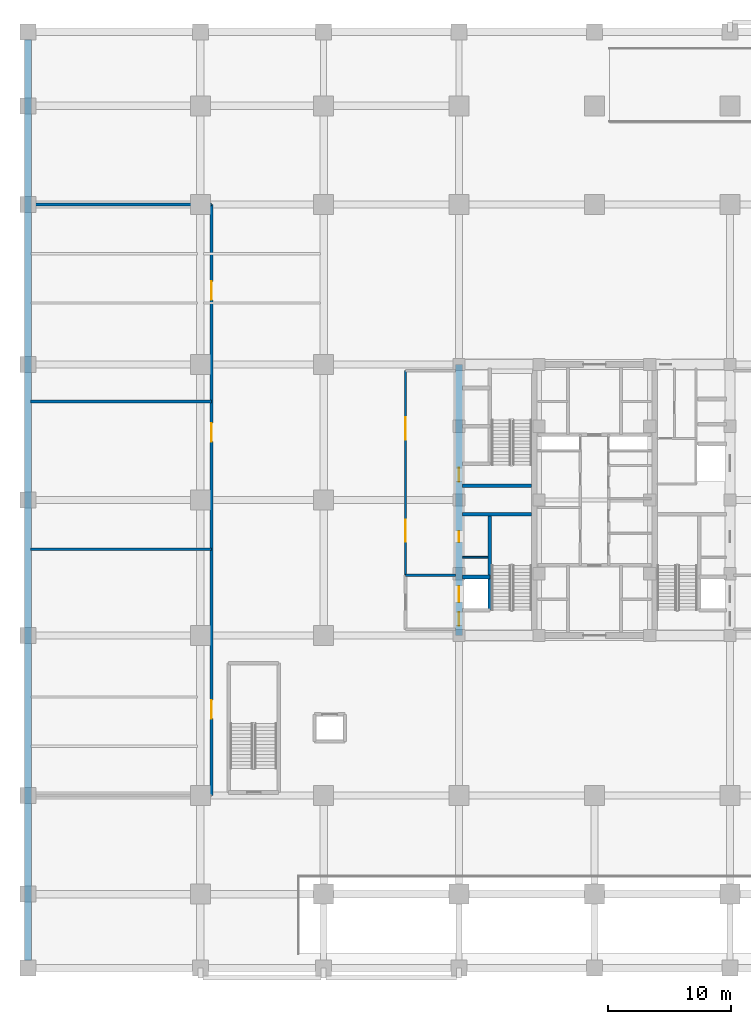
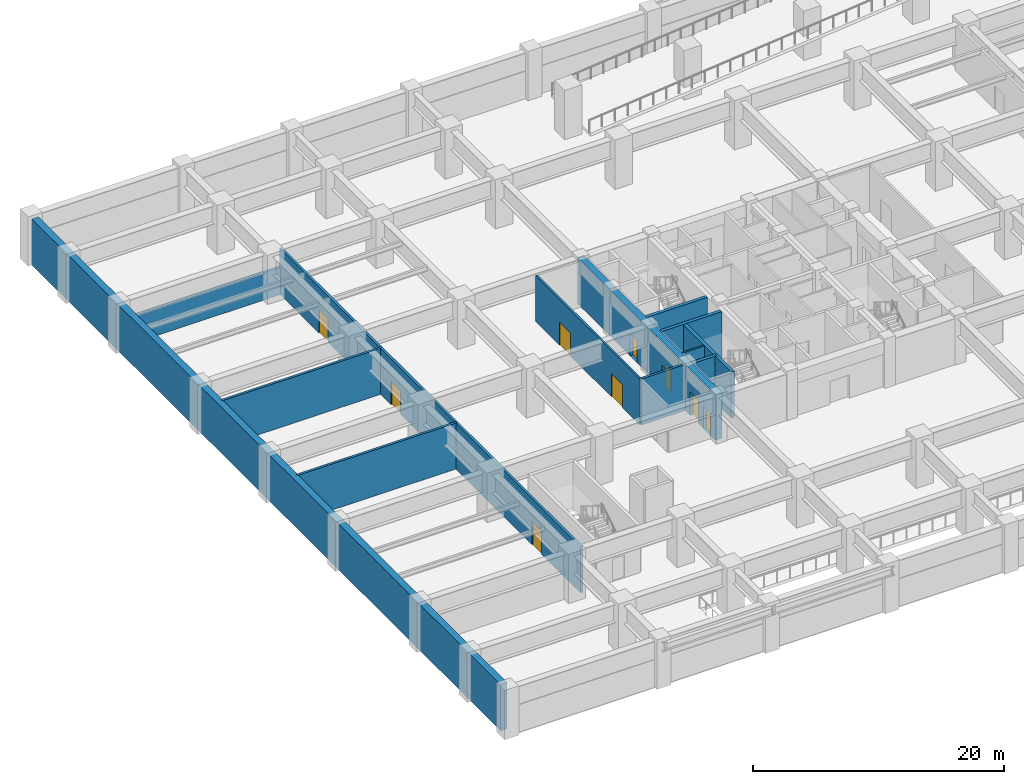
# One storey, part 5 of 13: 13 walls, 9 doors, 9 openings.
"""IFC4 building model written with IfcOpenShell, lengths in metres."""

from ifc_helpers import new_model, si_unit, direction, frame, frame_2d, origin, place, context, subcontext, project, spatial, rectangle, extrude, source, transform, mapped, material, layer, layer_set, type_object, element, fill, save


model = new_model("IFC4")

# Units and contexts
model_context = context("Model", 3, precision=1e-05, world=origin(), true_north=direction((0.0, 1.0)))
body_context = subcontext(model_context, "Body", "Model", "MODEL_VIEW")
ifc_project = project(units=[si_unit("LENGTHUNIT", "METRE"), si_unit("AREAUNIT", "SQUARE_METRE"), si_unit("VOLUMEUNIT", "CUBIC_METRE"), si_unit("PLANEANGLEUNIT", "RADIAN"), si_unit("MASSUNIT", "GRAM", prefix="KILO")], contexts=[model_context])

# Site, building, storey
site_placement = place(None, origin())
site = spatial("IfcSite", under=ifc_project, at=site_placement, CompositionType="ELEMENT")
building_placement = place(site_placement, origin())
building = spatial("IfcBuilding", under=site, at=building_placement, Name="Khorayat Bourse Tower", CompositionType="ELEMENT")
storey_placement = place(building_placement, frame((0.0, 0.0, -4.800048828125)))
storey = spatial("IfcBuildingStorey", under=building, at=storey_placement, Name="B01", CompositionType="ELEMENT", Elevation=-4.800048828125)

# Wall, openings, doors
ifc_material_1 = material(Name="Concrete C60/75", Category="concrete")
ifc_layer_1 = layer(ifc_material_1, 0.60009765625)
ifc_layer_set_1 = layer_set([ifc_layer_1], Name="Concrete C60/75")
wall_type_1 = type_object("IfcWallType", Name="WAL-CORE-600", PredefinedType="SHEAR", material=ifc_layer_set_1)
shared_shape_1 = source(origin(), body_context, "Body", "SweptSolid", [
    extrude(rectangle(XDim=22.0, YDim=0.60009765625, at=frame_2d((11.0, 0.0))), origin(), (0.0, 0.0, 1.0), 4.47998046875),
])
wall_1_placement = place(storey_placement, frame((-11.0, -11.0, 0.0), z_axis=(0.0, 0.0, 1.0), x_axis=(0.0, 1.0, 0.0)))
wall_1 = element("IfcWall", 1, at=wall_1_placement, inside=storey, type_object=wall_type_1, Name="B01 Core Shear Wall CORE-W", PredefinedType="SHEAR", context=body_context, shape_type="MappedRepresentation", body=[
    mapped(shared_shape_1, transform((0.0, 0.0, 0.0), scale=1.0)),
])
shared_shape_2 = source(origin(), body_context, "Body", "SweptSolid", [
    extrude(rectangle(XDim=1.10009765625, YDim=2.199951171875, at=frame_2d((0.550048828125, 1.10009765625))), frame((0.0, 0.31005859375, 0.0), z_axis=(0.0, -1.0, 0.0), x_axis=(1.0, 0.0, 0.0)), (0.0, 0.0, 1.0), 0.6201171875),
])
opening_1_placement = place(wall_1_placement, frame((0.800048828125, 0.0, 0.0)))
opening_1 = element("IfcOpeningElement", 2, at=opening_1_placement, cuts=wall_1, Name="Opening DI-01", PredefinedType="OPENING", context=body_context, shape_type="MappedRepresentation", body=[
    mapped(shared_shape_2, transform((0.0, 0.0, 0.0), scale=1.0)),
])
opening_2_placement = place(wall_1_placement, frame((12.5, 0.0, 0.0)))
opening_2 = element("IfcOpeningElement", 3, at=opening_2_placement, cuts=wall_1, Name="Opening DI-01", PredefinedType="OPENING", context=body_context, shape_type="MappedRepresentation", body=[
    mapped(shared_shape_2, transform((0.0, 0.0, 0.0), scale=1.0)),
])
shared_shape_3 = source(origin(), body_context, "Body", "SweptSolid", [
    extrude(rectangle(XDim=0.89990234375, YDim=2.14990234375, at=frame_2d((0.449951171875, 1.074951171875))), frame((0.0, 0.31005859375, 0.0), z_axis=(0.0, -1.0, 0.0), x_axis=(1.0, 0.0, 0.0)), (0.0, 0.0, 1.0), 0.6201171875),
])
opening_3_placement = place(wall_1_placement, frame((7.574951171875, 0.0, 0.0)))
opening_3 = element("IfcOpeningElement", 4, at=opening_3_placement, cuts=wall_1, Name="Opening DI-06", PredefinedType="OPENING", context=body_context, shape_type="MappedRepresentation", body=[
    mapped(shared_shape_3, transform((0.0, 0.0, 0.0), scale=1.0)),
])
shared_shape_4 = source(origin(), body_context, "Body", "SweptSolid", [
    extrude(rectangle(XDim=1.300048828125, YDim=2.300048828125, at=frame_2d((0.64990234375, 1.14990234375))), frame((0.0, 0.31005859375, 0.0), z_axis=(0.0, -1.0, 0.0), x_axis=(1.0, 0.0, 0.0)), (0.0, 0.0, 1.0), 0.6201171875),
])
opening_4_placement = place(wall_1_placement, frame((2.699951171875, 0.0, 0.0)))
opening_4 = element("IfcOpeningElement", 5, at=opening_4_placement, cuts=wall_1, Name="Opening LD-02", PredefinedType="OPENING", context=body_context, shape_type="MappedRepresentation", body=[
    mapped(shared_shape_4, transform((0.0, 0.0, 0.0), scale=1.0)),
])
ifc_material_2 = material(Name="Fire-rated steel acoustic leaf", Category="steel")
door_type_1 = type_object("IfcDoorType", Name="DR-INT-STAIR-1100", OperationType="NOTDEFINED", PredefinedType="DOOR", material=ifc_material_2)
shared_shape_5 = source(origin(), body_context, "Body", "SweptSolid", [
    extrude(rectangle(XDim=1.10009765625, YDim=2.199951171875, at=frame_2d((0.550048828125, 1.10009765625))), frame((0.0, 0.02490234375, 0.0), z_axis=(0.0, -1.0, 0.0), x_axis=(1.0, 0.0, 0.0)), (0.0, 0.0, 1.0), 0.050048828125),
])
door_1_placement = place(opening_1_placement, origin())
door_1 = element("IfcDoor", 6, at=door_1_placement, inside=storey, type_object=door_type_1, Name="B01 Exit Stair 1 Door", OperationType="SINGLE_SWING_RIGHT", OverallHeight=2.199951171875, OverallWidth=1.10009765625, PredefinedType="DOOR", context=body_context, shape_type="MappedRepresentation", body=[
    mapped(shared_shape_5, transform((0.0, 0.0, 0.0), scale=1.0)),
])
fill(opening_1, door_1)
door_2_placement = place(opening_2_placement, origin())
door_2 = element("IfcDoor", 7, at=door_2_placement, inside=storey, type_object=door_type_1, Name="B01 Exit Stair 2 Door", OperationType="SINGLE_SWING_RIGHT", OverallHeight=2.199951171875, OverallWidth=1.10009765625, PredefinedType="DOOR", context=body_context, shape_type="MappedRepresentation", body=[
    mapped(shared_shape_5, transform((0.0, 0.0, 0.0), scale=1.0)),
])
fill(opening_2, door_2)
ifc_material_3 = material(Name="Moisture-resistant laminate washroom door")
door_type_2 = type_object("IfcDoorType", Name="DR-INT-WC-900", OperationType="NOTDEFINED", PredefinedType="DOOR", material=ifc_material_3)
shared_shape_6 = source(origin(), body_context, "Body", "SweptSolid", [
    extrude(rectangle(XDim=0.89990234375, YDim=2.14990234375, at=frame_2d((0.449951171875, 1.074951171875))), frame((0.0, 0.02490234375, 0.0), z_axis=(0.0, -1.0, 0.0), x_axis=(1.0, 0.0, 0.0)), (0.0, 0.0, 1.0), 0.050048828125),
])
door_3_placement = place(opening_3_placement, origin())
door_3 = element("IfcDoor", 8, at=door_3_placement, inside=storey, type_object=door_type_2, Name="B01 UPS Switch Plant Room Door", OperationType="SINGLE_SWING_RIGHT", OverallHeight=2.14990234375, OverallWidth=0.89990234375, PredefinedType="DOOR", context=body_context, shape_type="MappedRepresentation", body=[
    mapped(shared_shape_6, transform((0.0, 0.0, 0.0), scale=1.0)),
])
fill(opening_3, door_3)
ifc_material_4 = material(Name="Fire-rated stainless-steel sliding landing door", Category="steel")
door_type_3 = type_object("IfcDoorType", Name="DR-LIFT-FF-1300", OperationType="NOTDEFINED", PredefinedType="DOOR", material=ifc_material_4)
shared_shape_7 = source(origin(), body_context, "Body", "SweptSolid", [
    extrude(rectangle(XDim=1.300048828125, YDim=2.300048828125, at=frame_2d((0.64990234375, 1.14990234375))), frame((0.0, 0.02490234375, 0.0), z_axis=(0.0, -1.0, 0.0), x_axis=(1.0, 0.0, 0.0)), (0.0, 0.0, 1.0), 0.050048828125),
])
door_4_placement = place(opening_4_placement, origin())
door_4 = element("IfcDoor", 9, at=door_4_placement, inside=storey, type_object=door_type_3, Name="B01 Lift FFL-01 Sliding Landing Door", OperationType="SLIDING_TO_LEFT", OverallHeight=2.300048828125, OverallWidth=1.300048828125, PredefinedType="DOOR", context=body_context, shape_type="MappedRepresentation", body=[
    mapped(shared_shape_7, transform((0.0, 0.0, 0.0), scale=1.0)),
])
fill(opening_4, door_4)

# Walls
ifc_material_5 = material(Name="Concrete C50/60", Category="concrete")
ifc_layer_2 = layer(ifc_material_5, 0.300048828125)
ifc_layer_set_2 = layer_set([ifc_layer_2], Name="Concrete C50/60")
wall_type_2 = type_object("IfcWallType", Name="WAL-SHAFT-300", PredefinedType="SHEAR", material=ifc_layer_set_2)
shared_shape_8 = source(origin(), body_context, "Body", "SweptSolid", [
    extrude(rectangle(XDim=5.599853515625, YDim=0.300048828125, at=frame_2d((2.7998046875, 0.0))), origin(), (0.0, 0.0, 1.0), 4.47998046875),
])
for number, where, z_axis, x_axis, name in (
    (10, (-10.699951171875, -1.14990234375, 0.0), (0.0, 0.0, 1.0), (1.0, 0.0, 0.0), "B01 Core Shear Wall ST1-DIV"),
    (11, (-10.699951171875, 1.14990234375, 0.0), (0.0, 0.0, 1.0), (1.0, 0.0, 0.0), "B01 Core Shear Wall ST2-DIV"),
):
    element("IfcWall", number, at=place(storey_placement, frame(where, z_axis=z_axis, x_axis=x_axis)), inside=storey, type_object=wall_type_2, Name=name, PredefinedType="SHEAR", context=body_context, shape_type="MappedRepresentation", body=[
        mapped(shared_shape_8, transform((0.0, 0.0, 0.0), scale=1.0)),
    ])
ifc_layer_3 = layer(ifc_material_5, 0.60009765625)
ifc_layer_set_3 = layer_set([ifc_layer_3], Name="Concrete C50/60")
wall_type_3 = type_object("IfcWallType", Name="WAL-RET-600", PredefinedType="USERDEFINED", material=ifc_layer_set_3)
shared_shape_9 = source(origin(), body_context, "Body", "SweptSolid", [
    extrude(rectangle(XDim=74.7998046875, YDim=0.60009765625, at=frame_2d((37.39990234375, 0.0))), origin(), (0.0, 0.0, 1.0), 4.47998046875),
])
wall_2_placement = place(storey_placement, frame((-46.0, -37.39990234375, 0.0), z_axis=(0.0, 0.0, 1.0), x_axis=(0.0, 1.0, 0.0)))
element("IfcWall", 12, at=wall_2_placement, inside=storey, type_object=wall_type_3, Name="B01 Perimeter Retaining Wall W", ObjectType="RETAINING WALL", PredefinedType="USERDEFINED", context=body_context, shape_type="MappedRepresentation", body=[
    mapped(shared_shape_9, transform((0.0, 0.0, 0.0), scale=1.0)),
])
shared_shape_10 = source(origin(), body_context, "Body", "SweptSolid", [
    extrude(rectangle(XDim=7.800048828125, YDim=0.300048828125, at=frame_2d((3.89990234375, 0.0))), origin(), (0.0, 0.0, 1.0), 4.47998046875),
])
wall_3_placement = place(storey_placement, frame((-8.5, -8.949951171875, 0.0), z_axis=(0.0, 0.0, 1.0), x_axis=(0.0, 1.0, 0.0)))
element("IfcWall", 13, at=wall_3_placement, inside=storey, type_object=wall_type_2, Name="B01 Partition WAL-B01-WPIER-SP", PredefinedType="SHEAR", context=body_context, shape_type="MappedRepresentation", body=[
    mapped(shared_shape_10, transform((0.0, 0.0, 0.0), scale=1.0)),
])
shared_shape_11 = source(origin(), body_context, "Body", "SweptSolid", [
    extrude(rectangle(XDim=2.199951171875, YDim=0.300048828125, at=frame_2d((1.10009765625, 0.0))), origin(), (0.0, 0.0, 1.0), 4.47998046875),
])
wall_4_placement = place(storey_placement, frame((-10.699951171875, -6.25, 0.0), z_axis=(0.0, 0.0, 1.0), x_axis=(1.0, 0.0, 0.0)))
element("IfcWall", 14, at=wall_4_placement, inside=storey, type_object=wall_type_2, Name="B01 Partition WAL-B01-WPIER-FF1N", PredefinedType="SHEAR", context=body_context, shape_type="MappedRepresentation", body=[
    mapped(shared_shape_11, transform((0.0, 0.0, 0.0), scale=1.0)),
])
ifc_material_6 = material(Name="Gypsum plasterboard twin-frame partition")
ifc_layer_4 = layer(ifc_material_6, 0.14990234375)
ifc_layer_set_4 = layer_set([ifc_layer_4], Name="Gypsum plasterboard twin-frame partition")
wall_type_4 = type_object("IfcWallType", Name="WAL-PART-SUITE-150", PredefinedType="PARTITIONING", material=ifc_layer_set_4)
shared_shape_12 = source(origin(), body_context, "Body", "SweptSolid", [
    extrude(rectangle(XDim=2.050048828125, YDim=0.14990234375, at=frame_2d((1.02490234375, 0.0))), origin(), (0.0, 0.0, 1.0), 4.47998046875),
])
wall_5_placement = place(storey_placement, frame((-10.699951171875, -4.64990234375, 0.0), z_axis=(0.0, 0.0, 1.0), x_axis=(1.0, 0.0, 0.0)))
element("IfcWall", 15, at=wall_5_placement, inside=storey, type_object=wall_type_4, Name="B01 Partition WAL-B01-WSRV-S0", PredefinedType="PARTITIONING", context=body_context, shape_type="MappedRepresentation", body=[
    mapped(shared_shape_12, transform((0.0, 0.0, 0.0), scale=1.0)),
])
ifc_material_7 = material(Name="Aerated concrete blockwork", Category="masonry")
ifc_layer_5 = layer(ifc_material_7, 0.219970703125)
ifc_layer_set_5 = layer_set([ifc_layer_5], Name="Aerated concrete blockwork")
wall_type_5 = type_object("IfcWallType", Name="WAL-PART-FF-220", PredefinedType="PARTITIONING", material=ifc_layer_set_5)
shared_shape_13 = source(origin(), body_context, "Body", "SweptSolid", [
    extrude(rectangle(XDim=4.050048828125, YDim=0.219970703125, at=frame_2d((2.02490234375, 0.0))), origin(), (0.0, 0.0, 1.0), 4.47998046875),
])
wall_6_placement = place(storey_placement, frame((-15.35009765625, -6.10009765625, 0.0), z_axis=(0.0, 0.0, 1.0), x_axis=(1.0, 0.0, 0.0)))
element("IfcWall", 16, at=wall_6_placement, inside=storey, type_object=wall_type_5, Name="B01 Partition WAL-B01-FFLW-N", PredefinedType="PARTITIONING", context=body_context, shape_type="MappedRepresentation", body=[
    mapped(shared_shape_13, transform((0.0, 0.0, 0.0), scale=1.0)),
])

# Wall, openings, doors
ifc_material_8 = material(Name="Gypsum plasterboard acoustic stud wall")
ifc_layer_6 = layer(ifc_material_8, 0.179931640625)
ifc_layer_set_6 = layer_set([ifc_layer_6], Name="Gypsum plasterboard acoustic stud wall")
wall_type_6 = type_object("IfcWallType", Name="WAL-PART-CORR-180", PredefinedType="PARTITIONING", material=ifc_layer_set_6)
shared_shape_14 = source(origin(), body_context, "Body", "SweptSolid", [
    extrude(rectangle(XDim=16.60009765625, YDim=0.179931640625, at=frame_2d((8.300048828125, 0.0))), origin(), (0.0, 0.0, 1.0), 4.47998046875),
])
wall_7_placement = place(storey_placement, frame((-15.35009765625, -6.10009765625, 0.0), z_axis=(0.0, 0.0, 1.0), x_axis=(0.0, 1.0, 0.0)))
wall_7 = element("IfcWall", 17, at=wall_7_placement, inside=storey, type_object=wall_type_6, Name="B01 Partition WAL-B01-WLOB-W", PredefinedType="PARTITIONING", context=body_context, shape_type="MappedRepresentation", body=[
    mapped(shared_shape_14, transform((0.0, 0.0, 0.0), scale=1.0)),
])
shared_shape_15 = source(origin(), body_context, "Body", "SweptSolid", [
    extrude(rectangle(XDim=1.800048828125, YDim=2.25, at=frame_2d((0.89990234375, 1.125))), frame((0.0, 0.099853515625, 0.0), z_axis=(0.0, -1.0, 0.0), x_axis=(1.0, 0.0, 0.0)), (0.0, 0.0, 1.0), 0.199951171875),
])
opening_5_placement = place(wall_7_placement, frame((2.699951171875, 0.0, 0.0)))
opening_5 = element("IfcOpeningElement", 18, at=opening_5_placement, cuts=wall_7, Name="Opening DI-03", PredefinedType="OPENING", context=body_context, shape_type="MappedRepresentation", body=[
    mapped(shared_shape_15, transform((0.0, 0.0, 0.0), scale=1.0)),
])
opening_6_placement = place(wall_7_placement, frame((11.0, 0.0, 0.0)))
opening_6 = element("IfcOpeningElement", 19, at=opening_6_placement, cuts=wall_7, Name="Opening DI-03", PredefinedType="OPENING", context=body_context, shape_type="MappedRepresentation", body=[
    mapped(shared_shape_15, transform((0.0, 0.0, 0.0), scale=1.0)),
])
ifc_material_9 = material(Name="Fire-rated hardwood vision-panel double leaf", Category="wood")
door_type_4 = type_object("IfcDoorType", Name="DR-INT-CORR-1800", OperationType="NOTDEFINED", PredefinedType="DOOR", material=ifc_material_9)
shared_shape_16 = source(origin(), body_context, "Body", "SweptSolid", [
    extrude(rectangle(XDim=1.800048828125, YDim=2.25, at=frame_2d((0.89990234375, 1.125))), frame((0.0, 0.02490234375, 0.0), z_axis=(0.0, -1.0, 0.0), x_axis=(1.0, 0.0, 0.0)), (0.0, 0.0, 1.0), 0.050048828125),
])
door_5_placement = place(opening_5_placement, origin())
door_5 = element("IfcDoor", 20, at=door_5_placement, inside=storey, type_object=door_type_4, Name="B01 West Core Lobby South Door", OperationType="SINGLE_SWING_LEFT", OverallHeight=2.25, OverallWidth=1.800048828125, PredefinedType="DOOR", context=body_context, shape_type="MappedRepresentation", body=[
    mapped(shared_shape_16, transform((0.0, 0.0, 0.0), scale=1.0)),
])
fill(opening_5, door_5)
door_6_placement = place(opening_6_placement, origin())
door_6 = element("IfcDoor", 21, at=door_6_placement, inside=storey, type_object=door_type_4, Name="B01 West Core Lobby North Door", OperationType="SINGLE_SWING_RIGHT", OverallHeight=2.25, OverallWidth=1.800048828125, PredefinedType="DOOR", context=body_context, shape_type="MappedRepresentation", body=[
    mapped(shared_shape_16, transform((0.0, 0.0, 0.0), scale=1.0)),
])
fill(opening_6, door_6)

shared_shape_17 = source(origin(), body_context, "Body", "SweptSolid", [
    extrude(rectangle(XDim=48.0, YDim=0.219970703125, at=frame_2d((24.0, 0.0))), origin(), (0.0, 0.0, 1.0), 4.47998046875),
])
wall_8_placement = place(storey_placement, frame((-31.10009765625, -24.0, 0.0), z_axis=(0.0, 0.0, 1.0), x_axis=(0.0, 1.0, 0.0)))
wall_8 = element("IfcWall", 22, at=wall_8_placement, inside=storey, type_object=wall_type_5, Name="B01 Partition WAL-B01-BW-E", PredefinedType="PARTITIONING", context=body_context, shape_type="MappedRepresentation", body=[
    mapped(shared_shape_17, transform((0.0, 0.0, 0.0), scale=1.0)),
])
shared_shape_18 = source(origin(), body_context, "Body", "SweptSolid", [
    extrude(rectangle(XDim=1.5, YDim=2.300048828125, at=frame_2d((0.75, 1.14990234375))), frame((0.0, 0.119873046875, 0.0), z_axis=(0.0, -1.0, 0.0), x_axis=(1.0, 0.0, 0.0)), (0.0, 0.0, 1.0), 0.239990234375),
])
opening_7_placement = place(wall_8_placement, frame((6.25, 0.0, 0.0)))
opening_7 = element("IfcOpeningElement", 23, at=opening_7_placement, cuts=wall_8, Name="Opening DI-07", PredefinedType="OPENING", context=body_context, shape_type="MappedRepresentation", body=[
    mapped(shared_shape_18, transform((0.0, 0.0, 0.0), scale=1.0)),
])
opening_8_placement = place(wall_8_placement, frame((28.75, 0.0, 0.0)))
opening_8 = element("IfcOpeningElement", 24, at=opening_8_placement, cuts=wall_8, Name="Opening DI-07", PredefinedType="OPENING", context=body_context, shape_type="MappedRepresentation", body=[
    mapped(shared_shape_18, transform((0.0, 0.0, 0.0), scale=1.0)),
])
opening_9_placement = place(wall_8_placement, frame((40.25, 0.0, 0.0)))
opening_9 = element("IfcOpeningElement", 25, at=opening_9_placement, cuts=wall_8, Name="Opening DI-07", PredefinedType="OPENING", context=body_context, shape_type="MappedRepresentation", body=[
    mapped(shared_shape_18, transform((0.0, 0.0, 0.0), scale=1.0)),
])
ifc_material_10 = material(Name="Louvred fire-rated steel plant double door", Category="steel")
door_type_5 = type_object("IfcDoorType", Name="DR-INT-PLANT-1500", OperationType="NOTDEFINED", PredefinedType="DOOR", material=ifc_material_10)
shared_shape_19 = source(origin(), body_context, "Body", "SweptSolid", [
    extrude(rectangle(XDim=1.5, YDim=2.300048828125, at=frame_2d((0.75, 1.14990234375))), frame((0.0, 0.02490234375, 0.0), z_axis=(0.0, -1.0, 0.0), x_axis=(1.0, 0.0, 0.0)), (0.0, 0.0, 1.0), 0.050048828125),
])
door_7_placement = place(opening_7_placement, origin())
door_7 = element("IfcDoor", 26, at=door_7_placement, inside=storey, type_object=door_type_5, Name="B01 Commuter Bicycle Store and Lockers Door", OperationType="SINGLE_SWING_RIGHT", OverallHeight=2.300048828125, OverallWidth=1.5, PredefinedType="DOOR", context=body_context, shape_type="MappedRepresentation", body=[
    mapped(shared_shape_19, transform((0.0, 0.0, 0.0), scale=1.0)),
])
fill(opening_7, door_7)
door_8_placement = place(opening_8_placement, origin())
door_8 = element("IfcDoor", 27, at=door_8_placement, inside=storey, type_object=door_type_5, Name="B01 Staff Shower and Changing Block Door", OperationType="SINGLE_SWING_LEFT", OverallHeight=2.300048828125, OverallWidth=1.5, PredefinedType="DOOR", context=body_context, shape_type="MappedRepresentation", body=[
    mapped(shared_shape_19, transform((0.0, 0.0, 0.0), scale=1.0)),
])
fill(opening_8, door_8)
door_9_placement = place(opening_9_placement, origin())
door_9 = element("IfcDoor", 28, at=door_9_placement, inside=storey, type_object=door_type_5, Name="B01 Substation and HV Transformer Plant Room Door", OperationType="SINGLE_SWING_RIGHT", OverallHeight=2.300048828125, OverallWidth=1.5, PredefinedType="DOOR", context=body_context, shape_type="MappedRepresentation", body=[
    mapped(shared_shape_19, transform((0.0, 0.0, 0.0), scale=1.0)),
])
fill(opening_9, door_9)

# Walls
shared_shape_20 = source(origin(), body_context, "Body", "SweptSolid", [
    extrude(rectangle(XDim=14.699951171875, YDim=0.219970703125, at=frame_2d((7.35009765625, 0.0))), origin(), (0.0, 0.0, 1.0), 4.47998046875),
])
for number, where, z_axis, x_axis, name in (
    (29, (-45.800048828125, -4.0, 0.0), (0.0, 0.0, 1.0), (1.0, 0.0, 0.0), "B01 Partition WAL-B01-BW-DIV-1"),
    (30, (-45.800048828125, 8.0, 0.0), (0.0, 0.0, 1.0), (1.0, 0.0, 0.0), "B01 Partition WAL-B01-BW-DIV-2"),
):
    element("IfcWall", number, at=place(storey_placement, frame(where, z_axis=z_axis, x_axis=x_axis)), inside=storey, type_object=wall_type_5, Name=name, PredefinedType="PARTITIONING", context=body_context, shape_type="MappedRepresentation", body=[
        mapped(shared_shape_20, transform((0.0, 0.0, 0.0), scale=1.0)),
    ])
shared_shape_21 = source(origin(), body_context, "Body", "SweptSolid", [
    extrude(rectangle(XDim=14.699951171875, YDim=0.219970703125, at=frame_2d((7.35009765625, 0.0))), origin(), (0.0, 0.0, 1.0), 2.679931640625),
])
wall_9_placement = place(storey_placement, frame((-45.800048828125, 24.0, 0.0), z_axis=(0.0, 0.0, 1.0), x_axis=(1.0, 0.0, 0.0)))
element("IfcWall", 31, at=wall_9_placement, inside=storey, type_object=wall_type_5, Name="B01 Partition WAL-B01-BW-N", PredefinedType="PARTITIONING", context=body_context, shape_type="MappedRepresentation", body=[
    mapped(shared_shape_21, transform((0.0, 0.0, 0.0), scale=1.0)),
])

save(model, "model.ifc")
